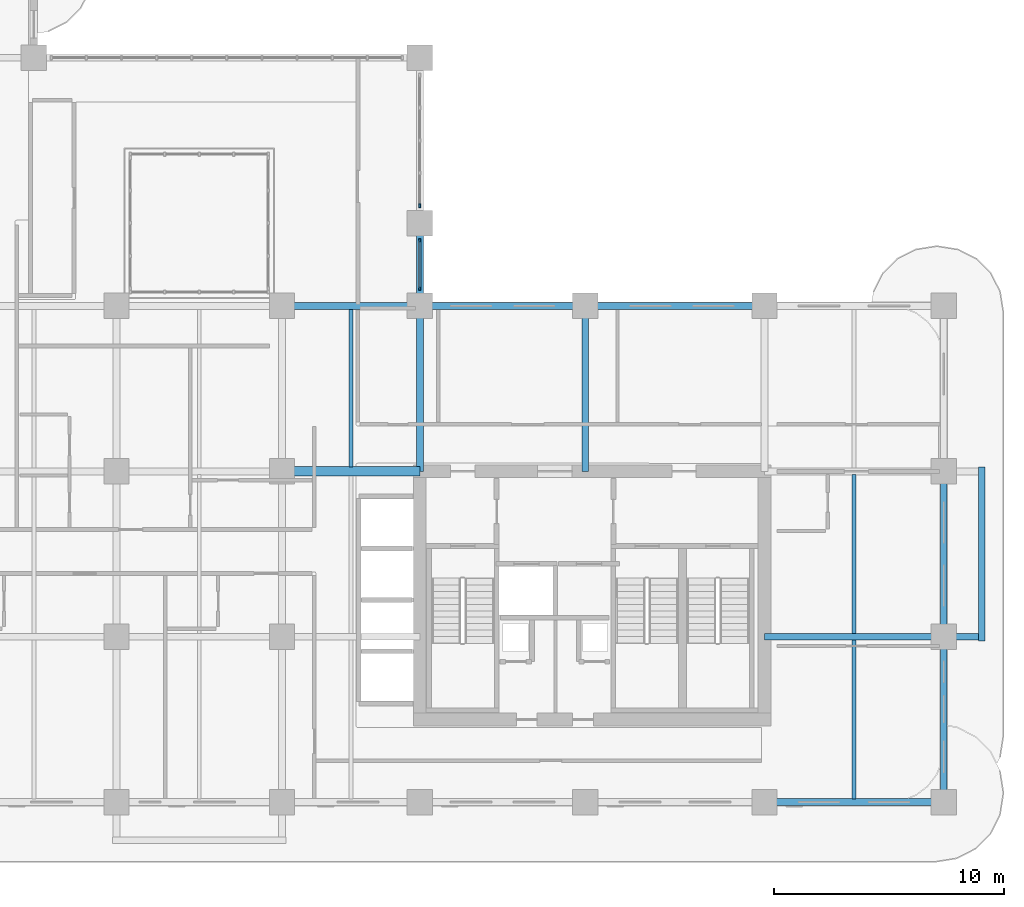
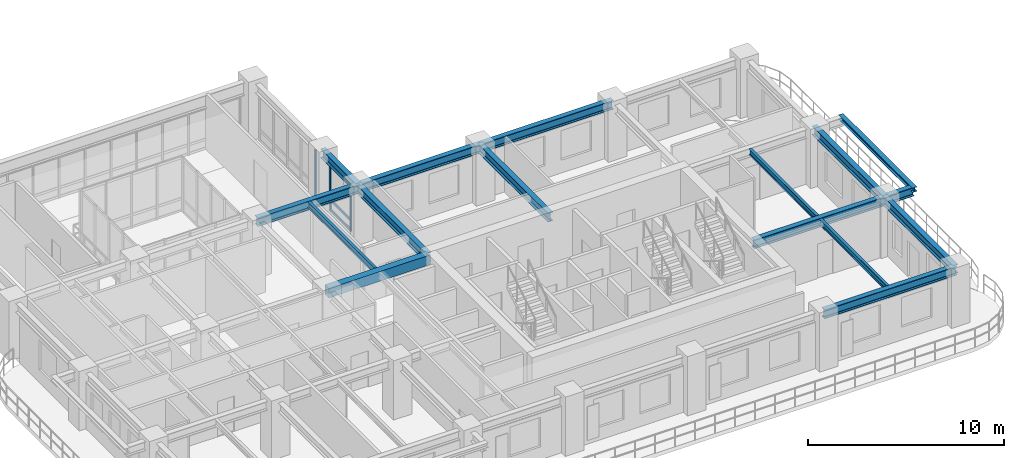
# One storey, part 4 of 22: 15 beams, 6 members, 2 elements without a shape of their own.
"""IFC4 building model written with IfcOpenShell, lengths in metres."""

import ifcopenshell
import ifcopenshell.guid

model = None  # the IFC model being written
_history = None  # IfcOwnerHistory: only IFC2X3 demands one
_inside = {}  # id of a spatial element -> (the spatial element, [elements in it])
_under = {}  # id of a project, library or spatial element -> (it, [spatial elements below it])
_declared = {}  # id of a project -> (the project, [libraries it declares])
_typed = {}  # id of a type object -> (the type object, [elements of that type])
_made_of = {}  # id of a material, layer set ... -> (it, [elements and type objects made of it])


def new_model(schema):
    """Start an empty IFC model of exactly this schema.

    Asked for "IFC4X3", IfcOpenShell would pick the latest addendum, in which some entities
    have other attributes; the version numbers below select the first issue.
    IFC2X3 requires an IfcOwnerHistory on every rooted entity: one is made here for all.
    """
    global model, _history
    if schema == "IFC4X3":
        model = ifcopenshell.file(schema_version=(4, 3, 0, 0))
    else:
        model = ifcopenshell.file(schema=schema)
    _inside.clear()
    _under.clear()
    _declared.clear()
    _typed.clear()
    _made_of.clear()
    _history = None
    if model.schema == "IFC2X3":
        org = make("IfcOrganization", Name="unknown")
        user = make(
            "IfcPersonAndOrganization",
            ThePerson=make("IfcPerson", FamilyName="unknown"),
            TheOrganization=org,
        )
        app = make(
            "IfcApplication",
            ApplicationDeveloper=org,
            Version="unknown",
            ApplicationFullName="unknown",
            ApplicationIdentifier="unknown",
        )
        _history = make(
            "IfcOwnerHistory",
            OwningUser=user,
            OwningApplication=app,
            ChangeAction="ADDED",
            CreationDate=0,
        )
    return model


def make(cls, **values):
    """One entity of the class cls with the attributes given. An attribute that is None is left unset."""
    return model.create_entity(
        cls, **{name: value for name, value in values.items() if value is not None}
    )


def rooted(cls, **values):
    """An entity with a GlobalId (a new one), such as an element, a storey or a relation."""
    return make(cls, GlobalId=ifcopenshell.guid.new(), OwnerHistory=_history, **values)


def si_unit(unit_type, name, prefix=None):
    """IfcSIUnit, for example si_unit("LENGTHUNIT", "METRE", prefix="MILLI")."""
    return make("IfcSIUnit", UnitType=unit_type, Prefix=prefix, Name=name)


def derived_unit(unit_type, elements):
    """IfcDerivedUnit: a product of units, each with its exponent."""
    return make(
        "IfcDerivedUnit",
        Elements=[
            make("IfcDerivedUnitElement", Unit=unit, Exponent=power)
            for unit, power in elements
        ],
        UnitType=unit_type,
    )


def assignment(units):
    """IfcUnitAssignment: the units of a project."""
    return None if units is None else make("IfcUnitAssignment", Units=units)


def point(xyz):
    """IfcCartesianPoint."""
    return None if xyz is None else make("IfcCartesianPoint", Coordinates=xyz)


def direction(xyz):
    """IfcDirection."""
    return None if xyz is None else make("IfcDirection", DirectionRatios=xyz)


def frame(location, z_axis=None, x_axis=None):
    """IfcAxis2Placement3D, a coordinate frame: its origin and axes. An axis left out is left unset."""
    return make(
        "IfcAxis2Placement3D",
        Location=point(location),
        Axis=direction(z_axis),
        RefDirection=direction(x_axis),
    )


def frame_2d(location, x_axis=None):
    """IfcAxis2Placement2D, a coordinate frame in the plane: its origin and x axis."""
    return make(
        "IfcAxis2Placement2D", Location=point(location), RefDirection=direction(x_axis)
    )


def origin():
    """The frame at (0, 0, 0) with its axes left unset."""
    return frame((0.0, 0.0, 0.0))


def origin_2d():
    """The frame at (0, 0) in the plane with its x axis left unset."""
    return frame_2d((0.0, 0.0))


def place(relative_to, where):
    """IfcLocalPlacement: puts the frame where relative to a parent placement (None: the world)."""
    return make(
        "IfcLocalPlacement", PlacementRelTo=relative_to, RelativePlacement=where
    )


def context(
    kind, dimensions, precision=None, world=None, true_north=None, identifier=None
):
    """IfcGeometricRepresentationContext, for example the 3D "Model" context."""
    return make(
        "IfcGeometricRepresentationContext",
        ContextIdentifier=identifier,
        ContextType=kind,
        CoordinateSpaceDimension=dimensions,
        Precision=precision,
        WorldCoordinateSystem=world,
        TrueNorth=true_north,
    )


def subcontext(parent, identifier, kind, view, scale=None):
    """IfcGeometricRepresentationSubContext, for example "Body" below "Model"."""
    return make(
        "IfcGeometricRepresentationSubContext",
        ContextIdentifier=identifier,
        ContextType=kind,
        ParentContext=parent,
        TargetScale=scale,
        TargetView=view,
    )


def project(units=None, contexts=None):
    """IfcProject with its units and contexts."""
    return rooted(
        "IfcProject",
        Name="project",
        RepresentationContexts=contexts,
        UnitsInContext=assignment(units),
    )


def spatial(cls, under=None, at=None, **own):
    """A site, building, storey or space (cls), placed at a placement, below another one or the project."""
    s = rooted(cls, ObjectPlacement=at, **own)
    if under is not None:
        _under.setdefault(under.id(), (under, []))[1].append(s)
    return s


def profile(cls, at=None, kind="AREA", **sizes):
    """A parametric profile (cls). Its sizes go by their IFC names, for example OverallWidth=200.0."""
    return make(cls, ProfileType=kind, Position=at, **sizes)


def rectangle(**sizes):
    """IfcRectangleProfileDef."""
    return profile("IfcRectangleProfileDef", **sizes)


def i_section(**sizes):
    """IfcIShapeProfileDef."""
    return profile("IfcIShapeProfileDef", **sizes)


def extrude(swept, where, along, depth):
    """IfcExtrudedAreaSolid: the profile swept, set in the frame where, extruded along a direction by depth."""
    return make(
        "IfcExtrudedAreaSolid",
        SweptArea=swept,
        Position=where,
        ExtrudedDirection=direction(along),
        Depth=depth,
    )


def shape(context_of_items, identifier, shape_type, items):
    """IfcShapeRepresentation: the items that make up one representation, for example the "Body"."""
    return make(
        "IfcShapeRepresentation",
        ContextOfItems=context_of_items,
        RepresentationIdentifier=identifier,
        RepresentationType=shape_type,
        Items=items,
    )


def source(mapping_origin, context_of_items, identifier, shape_type, items):
    """IfcRepresentationMap: a shape defined once, which mapped items show again and again."""
    return make(
        "IfcRepresentationMap",
        MappingOrigin=mapping_origin,
        MappedRepresentation=shape(context_of_items, identifier, shape_type, items),
    )


def transform(
    local_origin,
    x_axis=None,
    y_axis=None,
    z_axis=None,
    scale=None,
    scale2=None,
    scale3=None,
    uniform=True,
):
    """IfcCartesianTransformationOperator3D, or its non-uniform kind. x_axis, y_axis, z_axis: its Axis1, 2, 3."""
    if uniform:
        return make(
            "IfcCartesianTransformationOperator3D",
            Axis1=direction(x_axis),
            Axis2=direction(y_axis),
            LocalOrigin=point(local_origin),
            Scale=scale,
            Axis3=direction(z_axis),
        )
    return make(
        "IfcCartesianTransformationOperator3DnonUniform",
        Axis1=direction(x_axis),
        Axis2=direction(y_axis),
        LocalOrigin=point(local_origin),
        Scale=scale,
        Axis3=direction(z_axis),
        Scale2=scale2,
        Scale3=scale3,
    )


def mapped(mapping_source, mapping_target):
    """IfcMappedItem: shows the shape of a source again, moved by a transform."""
    return make(
        "IfcMappedItem", MappingSource=mapping_source, MappingTarget=mapping_target
    )


def material(Name=None, Category=None):
    """IfcMaterial."""
    return make("IfcMaterial", Name=Name, Category=Category)


def layer(
    of_material, thickness, ventilated=None, Name=None, Category=None, Priority=None
):
    """IfcMaterialLayer: one layer of a wall or slab, of a material (None: an air gap)."""
    return make(
        "IfcMaterialLayer",
        Material=of_material,
        LayerThickness=thickness,
        IsVentilated=ventilated,
        Name=Name,
        Category=Category,
        Priority=Priority,
    )


def layer_set(layers, Name=None):
    """IfcMaterialLayerSet."""
    return make("IfcMaterialLayerSet", MaterialLayers=layers, LayerSetName=Name)


def material_profile(
    of_material, cross_section, Name=None, Category=None, Priority=None
):
    """IfcMaterialProfile: a cross section and its material."""
    return make(
        "IfcMaterialProfile",
        Name=Name,
        Material=of_material,
        Profile=cross_section,
        Priority=Priority,
        Category=Category,
    )


def profile_set(profiles, Name=None, composite=None):
    """IfcMaterialProfileSet."""
    return make(
        "IfcMaterialProfileSet",
        Name=Name,
        MaterialProfiles=profiles,
        CompositeProfile=composite,
    )


def made_of(thing, what):
    """Note that an element or type object is made of a material, layer set ...; save() writes the relation."""
    if what is not None:
        _made_of.setdefault(what.id(), (what, []))[1].append(thing)
    return thing


def type_object(cls, material=None, **own):
    """A type object (cls), such as IfcWallType, which elements share."""
    return made_of(rooted(cls, **own), material)


def type_shapes(of_type, sources):
    """Give a type object the sources (RepresentationMaps) that its elements show as mapped items."""
    of_type.RepresentationMaps = sources


def element(
    cls,
    number,
    at=None,
    inside=None,
    cuts=None,
    type_object=None,
    material=None,
    context=None,
    identifier="Body",
    shape_type=None,
    held_by="IfcProductDefinitionShape",
    body=None,
    shapes=None,
    **own,
):
    """One element of the class cls, such as IfcWall. Its Tag is "e" and its number.

    at: its placement. inside: the storey or other place that contains it. cuts: it is an
    opening in that element (IfcRelVoidsElement). A single representation is given by context,
    identifier, shape_type and body (its items); several are given by shapes. held_by: the class
    of the entity that holds the representations. save() writes the other relations.
    """
    e = rooted(cls, Tag="e%d" % number, ObjectPlacement=at, **own)
    if body is not None:
        shapes = [shape(context, identifier, shape_type, body)]
    if shapes is not None:
        e.Representation = make(held_by, Representations=shapes)
    if inside is not None:
        _inside.setdefault(inside.id(), (inside, []))[1].append(e)
    if cuts is not None:
        rooted(
            "IfcRelVoidsElement", RelatingBuildingElement=cuts, RelatedOpeningElement=e
        )
    if type_object is not None:
        _typed.setdefault(type_object.id(), (type_object, []))[1].append(e)
    return made_of(e, material)


def aggregate(whole, parts):
    """IfcRelAggregates: a whole, such as a stair, and the parts it consists of."""
    return rooted("IfcRelAggregates", RelatingObject=whole, RelatedObjects=parts)


def save(model, path):
    """Write the relations noted so far, then the file.

    IfcRelAggregates (storeys below a building ...), IfcRelContainedInSpatialStructure (elements
    in a storey), IfcRelDefinesByType, IfcRelAssociatesMaterial and IfcRelDeclares: one each for
    every whole, place, type object, material and project.
    """
    for whole, parts in _under.values():
        aggregate(whole, parts)
    for where, things in _inside.values():
        rooted(
            "IfcRelContainedInSpatialStructure",
            RelatedElements=things,
            RelatingStructure=where,
        )
    for kind, things in _typed.values():
        rooted("IfcRelDefinesByType", RelatedObjects=things, RelatingType=kind)
    for what, things in _made_of.values():
        rooted("IfcRelAssociatesMaterial", RelatedObjects=things, RelatingMaterial=what)
    for by, libraries in _declared.values():
        rooted("IfcRelDeclares", RelatingContext=by, RelatedDefinitions=libraries)
    model.write(path)


model = new_model("IFC4")

# Units and contexts
model_context = context("Model", 3, precision=1e-05, world=origin(), true_north=direction((0.0, 1.0)))
body_context = subcontext(model_context, "Body", "Model", "MODEL_VIEW")
ifc_project = project(units=[si_unit("LENGTHUNIT", "METRE"), si_unit("AREAUNIT", "SQUARE_METRE"), si_unit("VOLUMEUNIT", "CUBIC_METRE"), si_unit("PLANEANGLEUNIT", "RADIAN"), si_unit("MASSUNIT", "GRAM", prefix="KILO"), si_unit("THERMODYNAMICTEMPERATUREUNIT", "KELVIN"), si_unit("POWERUNIT", "WATT"), derived_unit("THERMALTRANSMITTANCEUNIT", [(si_unit("POWERUNIT", "WATT"), 1), (si_unit("AREAUNIT", "SQUARE_METRE"), -1), (si_unit("THERMODYNAMICTEMPERATUREUNIT", "KELVIN"), -1)])], contexts=[model_context])

# Site, building, storey
site_placement = place(None, origin())
site = spatial("IfcSite", under=ifc_project, at=site_placement, CompositionType="ELEMENT")
building_placement = place(site_placement, origin())
building = spatial("IfcBuilding", under=site, at=building_placement, Name="Zahravan Archway Hotel and Residences", CompositionType="ELEMENT")
storey_placement = place(building_placement, frame((0.0, 0.0, 91.60009765625)))
storey = spatial("IfcBuildingStorey", under=building, at=storey_placement, Name="L22", CompositionType="ELEMENT", Elevation=91.60009765625)

# Beams
ifc_material_1 = material(Name="Structural Steel S355JR", Category="steel")
ifc_material_profile_1 = material_profile(ifc_material_1, i_section(OverallWidth=0.280029296875, OverallDepth=0.280029296875, WebThickness=0.010498046875, FlangeThickness=0.01806640625, FilletRadius=0.02392578125, at=origin_2d()), Name="HEB 280", Category="steel")
ifc_profile_set_1 = profile_set([ifc_material_profile_1], Name="Structural Steel S355JR")
beam_type_1 = type_object("IfcBeamType", Name="BM-SPN-HEB280", PredefinedType="SPANDREL", material=ifc_profile_set_1)
shared_shape_1 = source(origin(), body_context, "Body", "SweptSolid", [
    extrude(i_section(OverallWidth=0.280029296875, OverallDepth=0.280029296875, WebThickness=0.010498046875, FlangeThickness=0.01806640625, FilletRadius=0.02392578125, at=origin_2d()), origin(), (0.0, 0.0, 1.0), 7.56005859375),
])
type_shapes(beam_type_1, [shared_shape_1])
beam_1_placement = place(storey_placement, frame((59.25, 7.02001953125, 3.309814453125), z_axis=(0.0, 1.0, 0.0), x_axis=(-1.0, 0.0, 0.0)))
element("IfcBeam", 1, at=beam_1_placement, inside=storey, type_object=beam_type_1, Name="L23 EA Balcony Edge Spandrel", PredefinedType="SPANDREL", context=body_context, shape_type="MappedRepresentation", body=[
    mapped(shared_shape_1, transform((0.0, 0.0, 0.0), scale=1.0)),
])
ifc_material_2 = material(Name="Concrete C60/75", Category="concrete")
ifc_material_profile_2 = material_profile(ifc_material_2, rectangle(XDim=0.39990234375, YDim=0.60009765625, at=origin_2d()), Name="RC-LNT-400x600", Category="concrete")
ifc_profile_set_2 = profile_set([ifc_material_profile_2], Name="Concrete C60/75")
beam_type_2 = type_object("IfcBeamType", Name="LNT-RC-400x600", PredefinedType="LINTEL", material=ifc_profile_set_2)
shared_shape_2 = source(origin(), body_context, "Body", "SweptSolid", [
    extrude(rectangle(XDim=0.39990234375, YDim=0.60009765625, at=origin_2d()), origin(), (0.0, 0.0, 1.0), 6.0),
])
type_shapes(beam_type_2, [shared_shape_2])
beam_2_placement = place(storey_placement, frame((28.800048828125, 14.39990234375, 3.14990234375), z_axis=(1.0, 0.0, 0.0), x_axis=(0.0, 1.0, 0.0)))
element("IfcBeam", 2, at=beam_2_placement, inside=storey, type_object=beam_type_2, Name="L22 Core A Coupling Lintel Beam", PredefinedType="LINTEL", context=body_context, shape_type="MappedRepresentation", body=[
    mapped(shared_shape_2, transform((0.0, 0.0, 0.0), scale=1.0)),
])
ifc_material_profile_3 = material_profile(ifc_material_1, i_section(OverallWidth=0.300048828125, OverallDepth=0.550048828125, WebThickness=0.014892578125, FlangeThickness=0.029052734375, FilletRadius=0.027099609375, at=origin_2d()), Name="HEB 550", Category="steel")
ifc_profile_set_3 = profile_set([ifc_material_profile_3], Name="Structural Steel S355JR")
beam_type_3 = type_object("IfcBeamType", Name="BM-PRI-HEB550", PredefinedType="BEAM", material=ifc_profile_set_3)
shared_shape_3 = source(origin(), body_context, "Body", "SweptSolid", [
    extrude(i_section(OverallWidth=0.300048828125, OverallDepth=0.550048828125, WebThickness=0.014892578125, FlangeThickness=0.029052734375, FilletRadius=0.027099609375, at=origin_2d()), origin(), (0.0, 0.0, 1.0), 7.2001953125),
])
type_shapes(beam_type_3, [shared_shape_3])
for number, where, z_axis, x_axis, name in (
    (3, (34.800048828125, 14.39990234375, 3.1748046875), (0.0, 1.0, 0.0), (-1.0, 0.0, 0.0), "L22 Primary Girder NS-45"),
    (4, (42.0, 14.39990234375, 3.1748046875), (0.0, 1.0, 0.0), (-1.0, 0.0, 0.0), "L22 Primary Girder NS-48"),
):
    element("IfcBeam", number, at=place(storey_placement, frame(where, z_axis=z_axis, x_axis=x_axis)), inside=storey, type_object=beam_type_3, Name=name, PredefinedType="BEAM", context=body_context, shape_type="MappedRepresentation", body=[
        mapped(shared_shape_3, transform((0.0, 0.0, 0.0), scale=1.0)),
    ])
shared_shape_4 = source(origin(), body_context, "Body", "SweptSolid", [
    extrude(i_section(OverallWidth=0.300048828125, OverallDepth=0.550048828125, WebThickness=0.014892578125, FlangeThickness=0.029052734375, FilletRadius=0.027099609375, at=origin_2d()), origin(), (0.0, 0.0, 1.0), 7.199951171875),
])
for number, where, z_axis, x_axis, name in (
    (5, (34.800048828125, 21.60009765625, 3.1748046875), (1.0, 0.0, 0.0), (0.0, 1.0, 0.0), "L22 Primary Girder EW-17"),
    (6, (57.60009765625, 0.0, 3.1748046875), (0.0, 1.0, 0.0), (-1.0, 0.0, 0.0), "L22 Primary Girder NS-50"),
    (7, (57.60009765625, 7.199951171875, 3.1748046875), (0.0, 1.0, 0.0), (-1.0, 0.0, 0.0), "L22 Primary Girder NS-51"),
):
    element("IfcBeam", number, at=place(storey_placement, frame(where, z_axis=z_axis, x_axis=x_axis)), inside=storey, type_object=beam_type_3, Name=name, PredefinedType="BEAM", context=body_context, shape_type="MappedRepresentation", body=[
        mapped(shared_shape_4, transform((0.0, 0.0, 0.0), scale=1.0)),
    ])
shared_shape_5 = source(origin(), body_context, "Body", "SweptSolid", [
    extrude(i_section(OverallWidth=0.300048828125, OverallDepth=0.550048828125, WebThickness=0.014892578125, FlangeThickness=0.029052734375, FilletRadius=0.027099609375, at=origin_2d()), origin(), (0.0, 0.0, 1.0), 6.0),
])
beam_3_placement = place(storey_placement, frame((28.800048828125, 21.60009765625, 3.1748046875), z_axis=(1.0, 0.0, 0.0), x_axis=(0.0, 1.0, 0.0)))
element("IfcBeam", 8, at=beam_3_placement, inside=storey, type_object=beam_type_3, Name="L22 Primary Girder EW-16", PredefinedType="BEAM", context=body_context, shape_type="MappedRepresentation", body=[
    mapped(shared_shape_5, transform((0.0, 0.0, 0.0), scale=1.0)),
])
shared_shape_6 = source(origin(), body_context, "Body", "SweptSolid", [
    extrude(i_section(OverallWidth=0.300048828125, OverallDepth=0.550048828125, WebThickness=0.014892578125, FlangeThickness=0.029052734375, FilletRadius=0.027099609375, at=origin_2d()), origin(), (0.0, 0.0, 1.0), 7.800048828125),
])
for number, where, z_axis, x_axis, name in (
    (9, (49.800048828125, 0.0, 3.1748046875), (1.0, 0.0, 0.0), (0.0, 1.0, 0.0), "L22 Primary Girder EW-06"),
    (10, (42.0, 21.60009765625, 3.1748046875), (1.0, 0.0, 0.0), (0.0, 1.0, 0.0), "L22 Primary Girder EW-18"),
):
    element("IfcBeam", number, at=place(storey_placement, frame(where, z_axis=z_axis, x_axis=x_axis)), inside=storey, type_object=beam_type_3, Name=name, PredefinedType="BEAM", context=body_context, shape_type="MappedRepresentation", body=[
        mapped(shared_shape_6, transform((0.0, 0.0, 0.0), scale=1.0)),
    ])
shared_shape_7 = source(origin(), body_context, "Body", "SweptSolid", [
    extrude(i_section(OverallWidth=0.300048828125, OverallDepth=0.550048828125, WebThickness=0.014892578125, FlangeThickness=0.029052734375, FilletRadius=0.027099609375, at=origin_2d()), origin(), (0.0, 0.0, 1.0), 9.449951171875),
])
beam_4_placement = place(storey_placement, frame((49.800048828125, 7.199951171875, 3.1748046875), z_axis=(1.0, 0.0, 0.0), x_axis=(0.0, 1.0, 0.0)))
element("IfcBeam", 11, at=beam_4_placement, inside=storey, type_object=beam_type_3, Name="L22 Primary Girder EW-10", PredefinedType="BEAM", context=body_context, shape_type="MappedRepresentation", body=[
    mapped(shared_shape_7, transform((0.0, 0.0, 0.0), scale=1.0)),
])
shared_shape_8 = source(origin(), body_context, "Body", "SweptSolid", [
    extrude(i_section(OverallWidth=0.300048828125, OverallDepth=0.550048828125, WebThickness=0.014892578125, FlangeThickness=0.029052734375, FilletRadius=0.027099609375, at=origin_2d()), origin(), (0.0, 0.0, 1.0), 3.599853515625),
])
beam_5_placement = place(storey_placement, frame((34.800048828125, 21.60009765625, 3.1748046875), z_axis=(0.0, 1.0, 0.0), x_axis=(-1.0, 0.0, 0.0)))
element("IfcBeam", 12, at=beam_5_placement, inside=storey, type_object=beam_type_3, Name="L22 Primary Girder NS-46", PredefinedType="BEAM", context=body_context, shape_type="MappedRepresentation", body=[
    mapped(shared_shape_8, transform((0.0, 0.0, 0.0), scale=1.0)),
])
ifc_material_profile_4 = material_profile(ifc_material_1, i_section(OverallWidth=0.169921875, OverallDepth=0.360107421875, WebThickness=0.008056640625, FlangeThickness=0.0126953125, FilletRadius=0.01806640625, at=origin_2d()), Name="IPE 360", Category="steel")
ifc_profile_set_4 = profile_set([ifc_material_profile_4], Name="Structural Steel S355JR")
beam_type_4 = type_object("IfcBeamType", Name="BM-JST-IPE360", PredefinedType="JOIST", material=ifc_profile_set_4)
shared_shape_9 = source(origin(), body_context, "Body", "SweptSolid", [
    extrude(i_section(OverallWidth=0.169921875, OverallDepth=0.360107421875, WebThickness=0.008056640625, FlangeThickness=0.0126953125, FilletRadius=0.01806640625, at=origin_2d()), origin(), (0.0, 0.0, 1.0), 6.904052734375),
])
type_shapes(beam_type_4, [shared_shape_9])
for number, where, z_axis, x_axis, name in (
    (13, (53.699951171875, 0.14794921875, 3.27001953125), (0.0, 1.0, 0.0), (-1.0, 0.0, 0.0), "L22 Composite Floor Joist 04"),
    (14, (53.699951171875, 7.347900390625, 3.27001953125), (0.0, 1.0, 0.0), (-1.0, 0.0, 0.0), "L22 Composite Floor Joist 08"),
):
    element("IfcBeam", number, at=place(storey_placement, frame(where, z_axis=z_axis, x_axis=x_axis)), inside=storey, type_object=beam_type_4, Name=name, PredefinedType="JOIST", context=body_context, shape_type="MappedRepresentation", body=[
        mapped(shared_shape_9, transform((0.0, 0.0, 0.0), scale=1.0)),
    ])
shared_shape_10 = source(origin(), body_context, "Body", "SweptSolid", [
    extrude(i_section(OverallWidth=0.169921875, OverallDepth=0.360107421875, WebThickness=0.008056640625, FlangeThickness=0.0126953125, FilletRadius=0.01806640625, at=origin_2d()), origin(), (0.0, 0.0, 1.0), 6.85400390625),
])
beam_6_placement = place(storey_placement, frame((31.800048828125, 14.597900390625, 3.27001953125), z_axis=(0.0, 1.0, 0.0), x_axis=(-1.0, 0.0, 0.0)))
element("IfcBeam", 15, at=beam_6_placement, inside=storey, type_object=beam_type_4, Name="L22 Composite Floor Joist 09", PredefinedType="JOIST", context=body_context, shape_type="MappedRepresentation", body=[
    mapped(shared_shape_10, transform((0.0, 0.0, 0.0), scale=1.0)),
])

# Curtain wall, members
ifc_material_3 = material(Name="Bronze-Anodized Unitised Aluminium & Low-E Glass", Category="aluminium")
ifc_layer = layer(ifc_material_3, 0.179931640625, Name="Bronze-Anodized Unitised Aluminium & Low-E Glass", Category="aluminium")
ifc_layer_set = layer_set([ifc_layer], Name="Bronze-Anodized Unitised Aluminium & Low-E Glass")
curtain_wall_type = type_object("IfcCurtainWallType", Name="CW-ATR-GLAZ", PredefinedType="NOTDEFINED", material=ifc_layer_set)
curtain_wall_1_placement = place(storey_placement, origin())
curtain_wall_1 = element("IfcCurtainWall", 16, at=curtain_wall_1_placement, inside=storey, type_object=curtain_wall_type, Name="L22 Curtain Wall CW-L22-HNG-E-1", PredefinedType="NOTDEFINED")
ifc_material_4 = material(Name="Bronze-Anodized Extruded Aluminium", Category="aluminium")
ifc_material_profile_5 = material_profile(ifc_material_4, rectangle(XDim=0.080078125, YDim=0.159912109375, at=origin_2d()), Name="MUL 80x160", Category="aluminium")
ifc_profile_set_5 = profile_set([ifc_material_profile_5], Name="Bronze-Anodized Extruded Aluminium")
member_type_1 = type_object("IfcMemberType", Name="CWM-MUL-160", PredefinedType="MULLION", material=ifc_profile_set_5)
shared_shape_11 = source(origin(), body_context, "Body", "SweptSolid", [
    extrude(rectangle(XDim=0.080078125, YDim=0.159912109375, at=origin_2d()), origin(), (0.0, 0.0, 1.0), 2.885009765625),
])
member_1_placement = place(storey_placement, frame((34.800048828125, 22.360107421875, 0.0), z_axis=(0.0, 0.0, 1.0), x_axis=(1.0, 0.0, 0.0)))
member_1 = element("IfcMember", 17, at=member_1_placement, type_object=member_type_1, Name="CW-L22-HNG-E-1 Mullion 0", PredefinedType="MULLION", context=body_context, shape_type="MappedRepresentation", body=[
    mapped(shared_shape_11, transform((0.0, 0.0, 0.0), scale=1.0)),
])
member_2_placement = place(storey_placement, frame((34.800048828125, 24.43994140625, 0.0), z_axis=(0.0, 0.0, 1.0), x_axis=(1.0, 0.0, 0.0)))
member_2 = element("IfcMember", 18, at=member_2_placement, type_object=member_type_1, Name="CW-L22-HNG-E-1 Mullion 1", PredefinedType="MULLION", context=body_context, shape_type="MappedRepresentation", body=[
    mapped(shared_shape_11, transform((0.0, 0.0, 0.0), scale=1.0)),
])

# Curtain wall, member
curtain_wall_2_placement = place(storey_placement, origin())
curtain_wall_2 = element("IfcCurtainWall", 19, at=curtain_wall_2_placement, inside=storey, type_object=curtain_wall_type, Name="L22 Curtain Wall CW-L22-HNG-E-2", PredefinedType="NOTDEFINED")
member_3_placement = place(storey_placement, frame((34.800048828125, 25.9599609375, 0.0), z_axis=(0.0, 0.0, 1.0), x_axis=(1.0, 0.0, 0.0)))
member_3 = element("IfcMember", 20, at=member_3_placement, type_object=member_type_1, Name="CW-L22-HNG-E-2 Mullion 0", PredefinedType="MULLION", context=body_context, shape_type="MappedRepresentation", body=[
    mapped(shared_shape_11, transform((0.0, 0.0, 0.0), scale=1.0)),
])
aggregate(curtain_wall_2, [member_3])

# Member
ifc_material_profile_6 = material_profile(ifc_material_4, rectangle(XDim=0.080078125, YDim=0.139892578125, at=origin_2d()), Name="TRN 80x140", Category="aluminium")
ifc_profile_set_6 = profile_set([ifc_material_profile_6], Name="Bronze-Anodized Extruded Aluminium")
member_type_2 = type_object("IfcMemberType", Name="CWM-TRN-140", PredefinedType="USERDEFINED", material=ifc_profile_set_6)
shared_shape_12 = source(origin(), body_context, "Body", "SweptSolid", [
    extrude(rectangle(XDim=0.080078125, YDim=0.139892578125, at=origin_2d()), origin(), (0.0, 0.0, 1.0), 2.0),
])
member_4_placement = place(storey_placement, frame((34.800048828125, 22.39990234375, 0.06982421875), z_axis=(0.0, 1.0, 0.0), x_axis=(-1.0, 0.0, 0.0)))
member_4 = element("IfcMember", 21, at=member_4_placement, type_object=member_type_2, Name="CW-L22-HNG-E-1 Transom 0-1", ObjectType="TRANSOM", PredefinedType="USERDEFINED", context=body_context, shape_type="MappedRepresentation", body=[
    mapped(shared_shape_12, transform((0.0, 0.0, 0.0), scale=1.0)),
])

member_5_placement = place(storey_placement, frame((34.800048828125, 22.39990234375, 0.6923828125), z_axis=(0.0, 1.0, 0.0), x_axis=(-1.0, 0.0, 0.0)))
member_5 = element("IfcMember", 22, at=member_5_placement, type_object=member_type_2, Name="CW-L22-HNG-E-1 Transom 0-2", ObjectType="TRANSOM", PredefinedType="USERDEFINED", context=body_context, shape_type="MappedRepresentation", body=[
    mapped(shared_shape_12, transform((0.0, 0.0, 0.0), scale=1.0)),
])

member_6_placement = place(storey_placement, frame((34.800048828125, 22.39990234375, 2.81494140625), z_axis=(0.0, 1.0, 0.0), x_axis=(-1.0, 0.0, 0.0)))
member_6 = element("IfcMember", 23, at=member_6_placement, type_object=member_type_2, Name="CW-L22-HNG-E-1 Transom 0-3", ObjectType="TRANSOM", PredefinedType="USERDEFINED", context=body_context, shape_type="MappedRepresentation", body=[
    mapped(shared_shape_12, transform((0.0, 0.0, 0.0), scale=1.0)),
])

aggregate(curtain_wall_1, [member_1, member_2, member_4, member_5, member_6])

save(model, "model.ifc")
